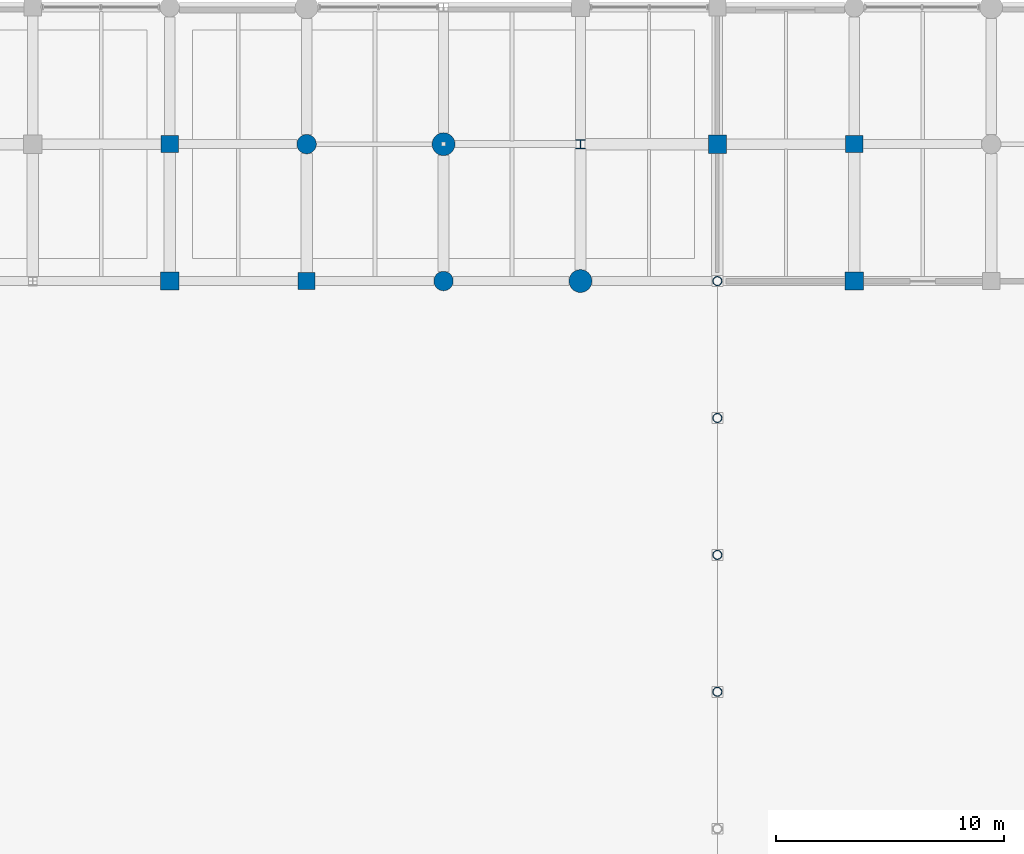
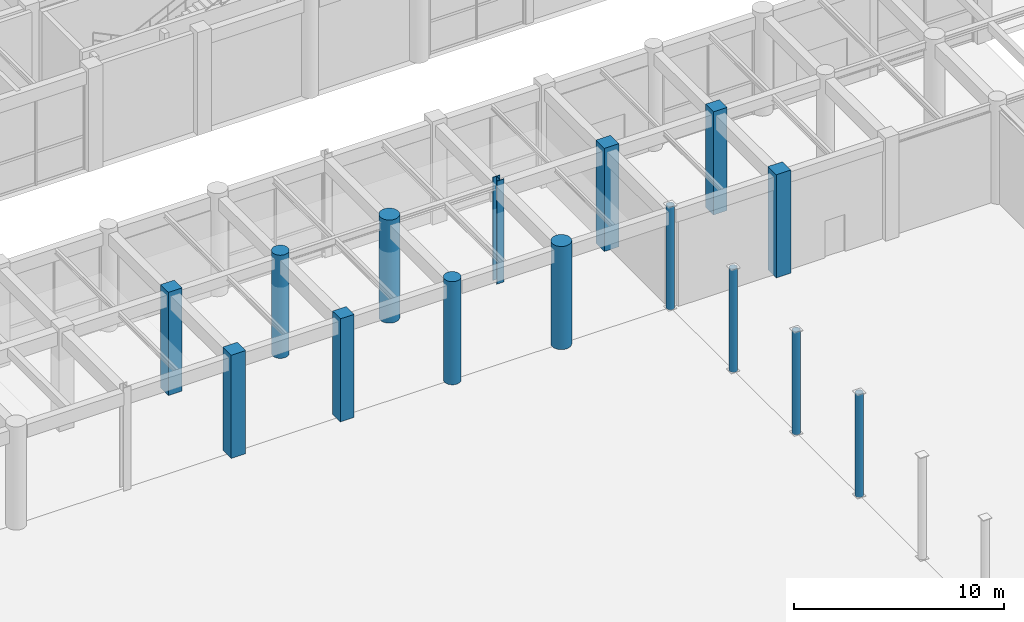
# One storey, part 13 of 106: 15 columns.
"""IFC4 building model written with IfcOpenShell, lengths in metres."""

from ifc_helpers import new_model, si_unit, direction, frame, origin, origin_2d, place, context, subcontext, project, spatial, rectangle, circle, hollow_circle, i_section, extrude, material, material_profile, profile_set, type_object, element, save


model = new_model("IFC4")

# Units and contexts
model_context = context("Model", 3, precision=1e-05, world=origin(), true_north=direction((0.0, 1.0)))
body_context = subcontext(model_context, "Body", "Model", "MODEL_VIEW")
ifc_project = project(units=[si_unit("LENGTHUNIT", "METRE"), si_unit("AREAUNIT", "SQUARE_METRE"), si_unit("VOLUMEUNIT", "CUBIC_METRE"), si_unit("PLANEANGLEUNIT", "RADIAN"), si_unit("MASSUNIT", "GRAM", prefix="KILO"), si_unit("THERMODYNAMICTEMPERATUREUNIT", "KELVIN"), si_unit("POWERUNIT", "WATT")], contexts=[model_context])

# Site, building, storey
site_placement = place(None, origin())
site = spatial("IfcSite", under=ifc_project, at=site_placement, CompositionType="ELEMENT")
building_placement = place(site_placement, origin())
building = spatial("IfcBuilding", under=site, at=building_placement, Name="Phaisarnlok Congress Hotel", CompositionType="ELEMENT")
storey_placement = place(building_placement, origin())
storey = spatial("IfcBuildingStorey", under=building, at=storey_placement, Name="L00", CompositionType="ELEMENT", Elevation=0.0)

# Columns
ifc_material_1 = material(Name="Concrete C50/60", Category="concrete")
ifc_material_profile_1 = material_profile(ifc_material_1, rectangle(XDim=0.75, YDim=0.75, at=origin_2d()), Name="RC 750x750")
ifc_profile_set_1 = profile_set([ifc_material_profile_1], Name="Concrete C50/60")
column_type_1 = type_object("IfcColumnType", Name="COL-RC-750", PredefinedType="COLUMN", material=ifc_profile_set_1)
for number, where, z_axis, x_axis, name in (
    (1, (96.0, 90.0, 0.0), (0.0, 0.0, 1.0), (1.0, 0.0, 0.0), "Column C-06 (L00)"),
    (2, (102.0, 84.0, 0.0), (0.0, 0.0, 1.0), (1.0, 0.0, 0.0), "Column C-06 (L00)"),
    (3, (126.0, 90.0, 0.0), (0.0, 0.0, 1.0), (1.0, 0.0, 0.0), "Column C-06 (L00)"),
):
    element("IfcColumn", number, at=place(storey_placement, frame(where, z_axis=z_axis, x_axis=x_axis)), inside=storey, type_object=column_type_1, Name=name, PredefinedType="COLUMN", context=body_context, shape_type="SweptSolid", body=[
        extrude(rectangle(XDim=0.75, YDim=0.75, at=origin_2d()), origin(), (0.0, 0.0, 1.0), 6.0),
    ])
ifc_material_profile_2 = material_profile(ifc_material_1, rectangle(XDim=0.800048828125, YDim=0.800048828125, at=origin_2d()), Name="RC 800x800")
ifc_profile_set_2 = profile_set([ifc_material_profile_2], Name="Concrete C50/60")
column_type_2 = type_object("IfcColumnType", Name="COL-RC-800", PredefinedType="COLUMN", material=ifc_profile_set_2)
for number, where, z_axis, x_axis, name in (
    (4, (96.0, 84.0, 0.0), (0.0, 0.0, 1.0), (1.0, 0.0, 0.0), "Column C-07 (L00)"),
    (5, (120.0, 90.0, 0.0), (0.0, 0.0, 1.0), (1.0, 0.0, 0.0), "Column C-07 (L00)"),
    (6, (126.0, 84.0, 0.0), (0.0, 0.0, 1.0), (1.0, 0.0, 0.0), "Column C-07 (L00)"),
):
    element("IfcColumn", number, at=place(storey_placement, frame(where, z_axis=z_axis, x_axis=x_axis)), inside=storey, type_object=column_type_2, Name=name, PredefinedType="COLUMN", context=body_context, shape_type="SweptSolid", body=[
        extrude(rectangle(XDim=0.800048828125, YDim=0.800048828125, at=origin_2d()), origin(), (0.0, 0.0, 1.0), 6.0),
    ])
ifc_material_profile_3 = material_profile(ifc_material_1, circle(Radius=0.5, at=origin_2d()), Name="RCC D1000")
ifc_profile_set_3 = profile_set([ifc_material_profile_3], Name="Concrete C50/60")
column_type_3 = type_object("IfcColumnType", Name="COL-RCC-1000", PredefinedType="COLUMN", material=ifc_profile_set_3)
for number, where, z_axis, x_axis, name in (
    (7, (108.0, 90.0, 0.0), (0.0, 0.0, 1.0), (1.0, 0.0, 0.0), "Column C-15 (L00)"),
    (8, (114.0, 84.0, 0.0), (0.0, 0.0, 1.0), (1.0, 0.0, 0.0), "Column C-15 (L00)"),
):
    element("IfcColumn", number, at=place(storey_placement, frame(where, z_axis=z_axis, x_axis=x_axis)), inside=storey, type_object=column_type_3, Name=name, PredefinedType="COLUMN", context=body_context, shape_type="SweptSolid", body=[
        extrude(circle(Radius=0.5, at=origin_2d()), origin(), (0.0, 0.0, 1.0), 6.0),
    ])
ifc_material_profile_4 = material_profile(ifc_material_1, circle(Radius=0.425048828125, at=origin_2d()), Name="RCC D850")
ifc_profile_set_4 = profile_set([ifc_material_profile_4], Name="Concrete C50/60")
column_type_4 = type_object("IfcColumnType", Name="COL-RCC-850", PredefinedType="COLUMN", material=ifc_profile_set_4)
for number, where, z_axis, x_axis, name in (
    (9, (102.0, 90.0, 0.0), (0.0, 0.0, 1.0), (1.0, 0.0, 0.0), "Column C-14 (L00)"),
    (10, (108.0, 84.0, 0.0), (0.0, 0.0, 1.0), (1.0, 0.0, 0.0), "Column C-14 (L00)"),
):
    element("IfcColumn", number, at=place(storey_placement, frame(where, z_axis=z_axis, x_axis=x_axis)), inside=storey, type_object=column_type_4, Name=name, PredefinedType="COLUMN", context=body_context, shape_type="SweptSolid", body=[
        extrude(circle(Radius=0.425048828125, at=origin_2d()), origin(), (0.0, 0.0, 1.0), 6.0),
    ])
ifc_material_2 = material(Name="Steel S355", Category="steel")
ifc_material_profile_5 = material_profile(ifc_material_2, hollow_circle(Radius=0.203125, WallThickness=0.02001953125, at=origin_2d()), Name="CHS 406.4x20")
ifc_profile_set_5 = profile_set([ifc_material_profile_5], Name="Steel S355")
column_type_5 = type_object("IfcColumnType", Name="COL-STL-CHS406-EXT", PredefinedType="COLUMN", material=ifc_profile_set_5)
for number, where, z_axis, x_axis, name in (
    (11, (120.0, 66.0, 0.0), (0.0, 0.0, 1.0), (1.0, 0.0, 0.0), "Column SC-02E (L00)"),
    (12, (120.0, 72.0, 0.0), (0.0, 0.0, 1.0), (1.0, 0.0, 0.0), "Column SC-02E (L00)"),
    (13, (120.0, 78.0, 0.0), (0.0, 0.0, 1.0), (1.0, 0.0, 0.0), "Column SC-02E (L00)"),
    (14, (120.0, 84.0, 0.0), (0.0, 0.0, 1.0), (1.0, 0.0, 0.0), "Column SC-02E (L00)"),
):
    element("IfcColumn", number, at=place(storey_placement, frame(where, z_axis=z_axis, x_axis=x_axis)), inside=storey, type_object=column_type_5, Name=name, PredefinedType="COLUMN", context=body_context, shape_type="SweptSolid", body=[
        extrude(hollow_circle(Radius=0.203125, WallThickness=0.02001953125, at=origin_2d()), origin(), (0.0, 0.0, 1.0), 6.0),
    ])
ifc_material_profile_6 = material_profile(ifc_material_2, i_section(OverallWidth=0.40087890625, OverallDepth=0.39892578125, WebThickness=0.0185546875, FlangeThickness=0.030029296875, FilletRadius=0.014892578125, at=origin_2d()), Name="HD 400x314")
ifc_profile_set_6 = profile_set([ifc_material_profile_6], Name="Steel S355")
column_type_6 = type_object("IfcColumnType", Name="COL-STL-HD314", PredefinedType="COLUMN", material=ifc_profile_set_6)
column_placement = place(storey_placement, frame((114.0, 90.0, 0.0), z_axis=(0.0, 0.0, 1.0), x_axis=(1.0, 0.0, 0.0)))
element("IfcColumn", 15, at=column_placement, inside=storey, type_object=column_type_6, Name="Column SC-04 (L00)", PredefinedType="COLUMN", context=body_context, shape_type="SweptSolid", body=[
    extrude(i_section(OverallWidth=0.40087890625, OverallDepth=0.39892578125, WebThickness=0.0185546875, FlangeThickness=0.030029296875, FilletRadius=0.014892578125, at=origin_2d()), origin(), (0.0, 0.0, 1.0), 6.0),
])

save(model, "model.ifc")
